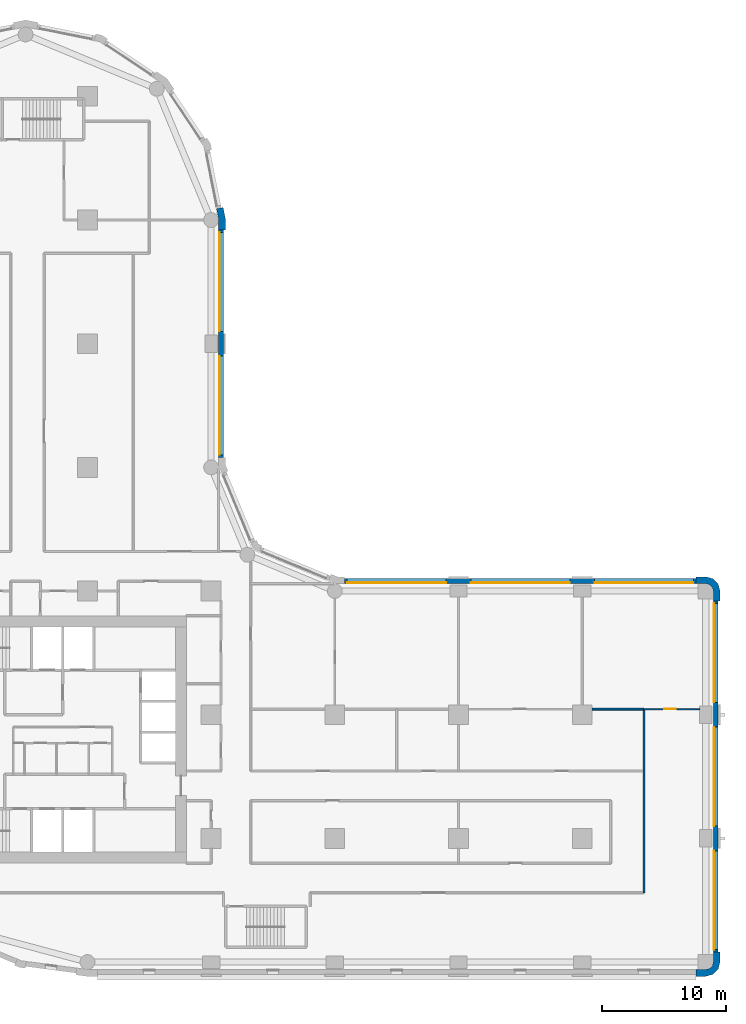
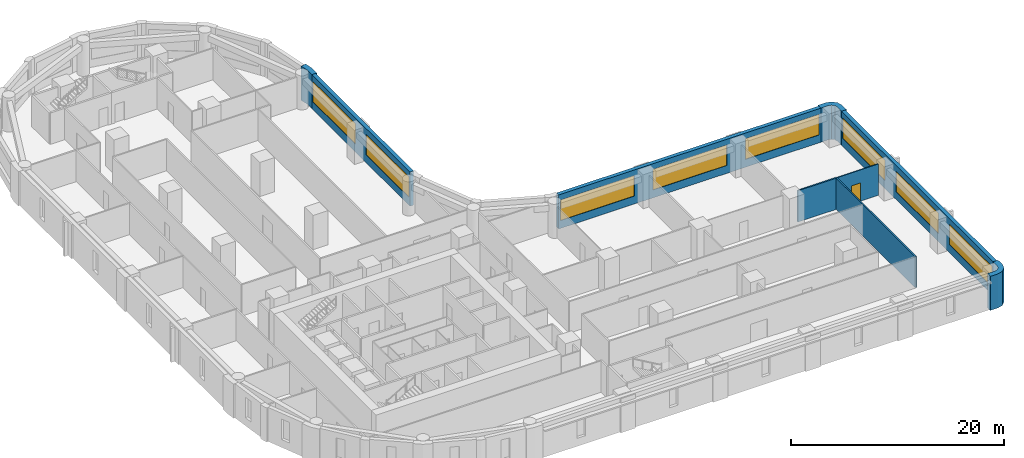
# One storey, part 6 of 10: 9 walls, 8 windows, 1 door, 9 openings.
"""IFC4 building model written with IfcOpenShell, lengths in metres."""

from ifc_helpers import new_model, si_unit, direction, frame, frame_2d, origin, place, context, subcontext, project, spatial, polyline, rectangle, outline, extrude, material, layer, layer_set, type_object, element, fill, save


model = new_model("IFC4")

# Units and contexts
model_context = context("Model", 3, precision=1e-05, world=origin(), true_north=direction((0.0, 1.0)))
body_context = subcontext(model_context, "Body", "Model", "MODEL_VIEW")
ifc_project = project(units=[si_unit("LENGTHUNIT", "METRE"), si_unit("AREAUNIT", "SQUARE_METRE"), si_unit("VOLUMEUNIT", "CUBIC_METRE"), si_unit("PLANEANGLEUNIT", "RADIAN"), si_unit("MASSUNIT", "GRAM", prefix="KILO")], contexts=[model_context])

# Site, building, storey
site_placement = place(None, origin())
site = spatial("IfcSite", under=ifc_project, at=site_placement, CompositionType="ELEMENT")
building_placement = place(site_placement, origin())
building = spatial("IfcBuilding", under=site, at=building_placement, Name="Qaws Garden Tower", CompositionType="ELEMENT")
storey_placement = place(building_placement, frame((0.0, 0.0, 78.300048828125)))
storey = spatial("IfcBuildingStorey", under=building, at=storey_placement, Name="L19", CompositionType="ELEMENT", Elevation=78.300048828125)

# Walls
ifc_material_1 = material(Name="Clay facing brick masonry", Category="masonry")
ifc_layer_1 = layer(ifc_material_1, 0.550048828125)
ifc_layer_set_1 = layer_set([ifc_layer_1], Name="Clay facing brick masonry")
wall_type_1 = type_object("IfcWallType", Name="Brick corner pier 550 x 2400", PredefinedType="SOLIDWALL", material=ifc_layer_set_1)
placement = place(storey_placement, origin())
element("IfcWall", 1, at=placement, inside=storey, type_object=wall_type_1, Name="E-L19-pier-05", PredefinedType="SOLIDWALL", context=body_context, shape_type="SweptSolid", body=[
    extrude(outline(polyline([(69.199951171875, -1.0), (69.199951171875, -1.14990234375), (70.0, -1.14990234375), (70.574951171875, -0.995849609375), (70.995849609375, -0.574951171875), (71.14990234375, 0.0), (71.14990234375, 0.800048828125), (71.0, 0.800048828125), (70.60009765625, 0.800048828125), (70.60009765625, 0.0), (70.51953125, -0.300048828125), (70.300048828125, -0.51953125), (70.0, -0.60009765625), (69.199951171875, -0.60009765625), (69.199951171875, -1.0)])), origin(), (0.0, 0.0, 1.0), 3.89990234375),
])
element("IfcWall", 2, at=placement, inside=storey, type_object=wall_type_1, Name="E-L19-pier-08", PredefinedType="SOLIDWALL", context=body_context, shape_type="SweptSolid", body=[
    extrude(outline(polyline([(71.0, 29.199951171875), (71.14990234375, 29.199951171875), (71.14990234375, 30.0), (70.995849609375, 30.574951171875), (70.574951171875, 30.995849609375), (70.0, 31.14990234375), (69.199951171875, 31.14990234375), (69.199951171875, 31.0), (69.199951171875, 30.60009765625), (70.0, 30.60009765625), (70.300048828125, 30.51953125), (70.51953125, 30.300048828125), (70.60009765625, 30.0), (70.60009765625, 29.199951171875), (71.0, 29.199951171875)])), origin(), (0.0, 0.0, 1.0), 3.89990234375),
])

# Wall, openings, windows
ifc_material_2 = material(Name="Clay facing brick masonry", Category="masonry")
ifc_layer_2 = layer(ifc_material_2, 0.39990234375)
ifc_layer_set_2 = layer_set([ifc_layer_2], Name="Clay facing brick masonry")
wall_type_2 = type_object("IfcWallType", Name="Brick infill wall 400", PredefinedType="SOLIDWALL", material=ifc_layer_set_2)
wall_3_placement = place(storey_placement, frame((70.800048828125, 0.800048828125, 0.0), z_axis=(0.0, 0.0, 1.0), x_axis=(0.0, 1.0, 0.0)))
wall_3 = element("IfcWall", 3, at=wall_3_placement, inside=storey, type_object=wall_type_2, Name="E-L19-infill-05", PredefinedType="SOLIDWALL", context=body_context, shape_type="SweptSolid", body=[
    extrude(rectangle(XDim=28.39990234375, YDim=0.39990234375, at=frame_2d((14.199951171875, 0.0))), origin(), (0.0, 0.0, 1.0), 3.89990234375),
])
opening_1_placement = place(wall_3_placement, frame((0.199951171875, 0.0, 0.89990234375)))
opening_1 = element("IfcOpeningElement", 4, at=opening_1_placement, cuts=wall_3, Name="Opening W01", PredefinedType="OPENING", context=body_context, shape_type="SweptSolid", body=[
    extrude(rectangle(XDim=8.0, YDim=2.35009765625, at=frame_2d((4.0, 1.175048828125))), frame((0.0, 0.2099609375, 0.0), z_axis=(0.0, -1.0, 0.0), x_axis=(1.0, 0.0, 0.0)), (0.0, 0.0, 1.0), 0.419921875),
])
opening_2_placement = place(wall_3_placement, frame((10.199951171875, 0.0, 0.89990234375)))
opening_2 = element("IfcOpeningElement", 5, at=opening_2_placement, cuts=wall_3, Name="Opening W01", PredefinedType="OPENING", context=body_context, shape_type="SweptSolid", body=[
    extrude(rectangle(XDim=8.0, YDim=2.35009765625, at=frame_2d((4.0, 1.175048828125))), frame((0.0, 0.2099609375, 0.0), z_axis=(0.0, -1.0, 0.0), x_axis=(1.0, 0.0, 0.0)), (0.0, 0.0, 1.0), 0.419921875),
])
opening_3_placement = place(wall_3_placement, frame((20.199951171875, 0.0, 0.89990234375)))
opening_3 = element("IfcOpeningElement", 6, at=opening_3_placement, cuts=wall_3, Name="Opening W01", PredefinedType="OPENING", context=body_context, shape_type="SweptSolid", body=[
    extrude(rectangle(XDim=8.0, YDim=2.35009765625, at=frame_2d((4.0, 1.175048828125))), frame((0.0, 0.2099609375, 0.0), z_axis=(0.0, -1.0, 0.0), x_axis=(1.0, 0.0, 0.0)), (0.0, 0.0, 1.0), 0.419921875),
])
ifc_material_3 = material(Name="Aluminium framed window, clear glazing", Category="aluminium")
window_type = type_object("IfcWindowType", Name="Ribbon window 8000 x 2350", PartitioningType="DOUBLE_PANEL_VERTICAL", PredefinedType="WINDOW", material=ifc_material_3)
window_1_placement = place(opening_1_placement, origin())
window_1 = element("IfcWindow", 7, at=window_1_placement, inside=storey, type_object=window_type, Name="E-L19-window-05-0", OverallHeight=2.35009765625, OverallWidth=8.0, PartitioningType="SINGLE_PANEL", PredefinedType="WINDOW", context=body_context, shape_type="SweptSolid", body=[
    extrude(rectangle(XDim=8.0, YDim=2.35009765625, at=frame_2d((4.0, 1.175048828125))), frame((0.0, 0.159912109375, 0.0), z_axis=(0.0, -1.0, 0.0), x_axis=(1.0, 0.0, 0.0)), (0.0, 0.0, 1.0), 0.06005859375),
])
fill(opening_1, window_1)
window_2_placement = place(opening_2_placement, origin())
window_2 = element("IfcWindow", 8, at=window_2_placement, inside=storey, type_object=window_type, Name="E-L19-window-06-0", OverallHeight=2.35009765625, OverallWidth=8.0, PartitioningType="SINGLE_PANEL", PredefinedType="WINDOW", context=body_context, shape_type="SweptSolid", body=[
    extrude(rectangle(XDim=8.0, YDim=2.35009765625, at=frame_2d((4.0, 1.175048828125))), frame((0.0, 0.159912109375, 0.0), z_axis=(0.0, -1.0, 0.0), x_axis=(1.0, 0.0, 0.0)), (0.0, 0.0, 1.0), 0.06005859375),
])
fill(opening_2, window_2)
window_3_placement = place(opening_3_placement, origin())
window_3 = element("IfcWindow", 9, at=window_3_placement, inside=storey, type_object=window_type, Name="E-L19-window-07-0", OverallHeight=2.35009765625, OverallWidth=8.0, PartitioningType="SINGLE_PANEL", PredefinedType="WINDOW", context=body_context, shape_type="SweptSolid", body=[
    extrude(rectangle(XDim=8.0, YDim=2.35009765625, at=frame_2d((4.0, 1.175048828125))), frame((0.0, 0.159912109375, 0.0), z_axis=(0.0, -1.0, 0.0), x_axis=(1.0, 0.0, 0.0)), (0.0, 0.0, 1.0), 0.06005859375),
])
fill(opening_3, window_3)

wall_4_placement = place(storey_placement, frame((69.199951171875, 30.800048828125, 0.0), z_axis=(0.0, 0.0, 1.0), x_axis=(-1.0, 0.0, 0.0)))
wall_4 = element("IfcWall", 10, at=wall_4_placement, inside=storey, type_object=wall_type_2, Name="E-L19-infill-08", PredefinedType="SOLIDWALL", context=body_context, shape_type="SweptSolid", body=[
    extrude(rectangle(XDim=28.39990234375, YDim=0.39990234375, at=frame_2d((14.199951171875, 0.0))), origin(), (0.0, 0.0, 1.0), 3.89990234375),
])
opening_4_placement = place(wall_4_placement, frame((0.199951171875, 0.0, 0.89990234375)))
opening_4 = element("IfcOpeningElement", 11, at=opening_4_placement, cuts=wall_4, Name="Opening W01", PredefinedType="OPENING", context=body_context, shape_type="SweptSolid", body=[
    extrude(rectangle(XDim=8.0, YDim=2.35009765625, at=frame_2d((4.0, 1.175048828125))), frame((0.0, 0.2099609375, 0.0), z_axis=(0.0, -1.0, 0.0), x_axis=(1.0, 0.0, 0.0)), (0.0, 0.0, 1.0), 0.419921875),
])
opening_5_placement = place(wall_4_placement, frame((10.199951171875, 0.0, 0.89990234375)))
opening_5 = element("IfcOpeningElement", 12, at=opening_5_placement, cuts=wall_4, Name="Opening W01", PredefinedType="OPENING", context=body_context, shape_type="SweptSolid", body=[
    extrude(rectangle(XDim=8.0, YDim=2.35009765625, at=frame_2d((4.0, 1.175048828125))), frame((0.0, 0.2099609375, 0.0), z_axis=(0.0, -1.0, 0.0), x_axis=(1.0, 0.0, 0.0)), (0.0, 0.0, 1.0), 0.419921875),
])
opening_6_placement = place(wall_4_placement, frame((20.199951171875, 0.0, 0.89990234375)))
opening_6 = element("IfcOpeningElement", 13, at=opening_6_placement, cuts=wall_4, Name="Opening W01", PredefinedType="OPENING", context=body_context, shape_type="SweptSolid", body=[
    extrude(rectangle(XDim=8.0, YDim=2.35009765625, at=frame_2d((4.0, 1.175048828125))), frame((0.0, 0.2099609375, 0.0), z_axis=(0.0, -1.0, 0.0), x_axis=(1.0, 0.0, 0.0)), (0.0, 0.0, 1.0), 0.419921875),
])
window_4_placement = place(opening_4_placement, origin())
window_4 = element("IfcWindow", 14, at=window_4_placement, inside=storey, type_object=window_type, Name="E-L19-window-08-0", OverallHeight=2.35009765625, OverallWidth=8.0, PartitioningType="SINGLE_PANEL", PredefinedType="WINDOW", context=body_context, shape_type="SweptSolid", body=[
    extrude(rectangle(XDim=8.0, YDim=2.35009765625, at=frame_2d((4.0, 1.175048828125))), frame((0.0, 0.159912109375, 0.0), z_axis=(0.0, -1.0, 0.0), x_axis=(1.0, 0.0, 0.0)), (0.0, 0.0, 1.0), 0.06005859375),
])
fill(opening_4, window_4)
window_5_placement = place(opening_5_placement, origin())
window_5 = element("IfcWindow", 15, at=window_5_placement, inside=storey, type_object=window_type, Name="E-L19-window-09-0", OverallHeight=2.35009765625, OverallWidth=8.0, PartitioningType="SINGLE_PANEL", PredefinedType="WINDOW", context=body_context, shape_type="SweptSolid", body=[
    extrude(rectangle(XDim=8.0, YDim=2.35009765625, at=frame_2d((4.0, 1.175048828125))), frame((0.0, 0.159912109375, 0.0), z_axis=(0.0, -1.0, 0.0), x_axis=(1.0, 0.0, 0.0)), (0.0, 0.0, 1.0), 0.06005859375),
])
fill(opening_5, window_5)
window_6_placement = place(opening_6_placement, origin())
window_6 = element("IfcWindow", 16, at=window_6_placement, inside=storey, type_object=window_type, Name="E-L19-window-10-0", OverallHeight=2.35009765625, OverallWidth=8.0, PartitioningType="SINGLE_PANEL", PredefinedType="WINDOW", context=body_context, shape_type="SweptSolid", body=[
    extrude(rectangle(XDim=8.0, YDim=2.35009765625, at=frame_2d((4.0, 1.175048828125))), frame((0.0, 0.159912109375, 0.0), z_axis=(0.0, -1.0, 0.0), x_axis=(1.0, 0.0, 0.0)), (0.0, 0.0, 1.0), 0.06005859375),
])
fill(opening_6, window_6)

wall_5_placement = place(storey_placement, frame((30.800048828125, 40.800048828125, 0.0), z_axis=(0.0, 0.0, 1.0), x_axis=(0.0, 1.0, 0.0)))
wall_5 = element("IfcWall", 17, at=wall_5_placement, inside=storey, type_object=wall_type_2, Name="E-L19-infill-13", PredefinedType="SOLIDWALL", context=body_context, shape_type="SweptSolid", body=[
    extrude(rectangle(XDim=18.39990234375, YDim=0.39990234375, at=frame_2d((9.199951171875, 0.0))), origin(), (0.0, 0.0, 1.0), 3.89990234375),
])
opening_7_placement = place(wall_5_placement, frame((0.199951171875, 0.0, 0.89990234375)))
opening_7 = element("IfcOpeningElement", 18, at=opening_7_placement, cuts=wall_5, Name="Opening W01", PredefinedType="OPENING", context=body_context, shape_type="SweptSolid", body=[
    extrude(rectangle(XDim=8.0, YDim=2.35009765625, at=frame_2d((4.0, 1.175048828125))), frame((0.0, 0.2099609375, 0.0), z_axis=(0.0, -1.0, 0.0), x_axis=(1.0, 0.0, 0.0)), (0.0, 0.0, 1.0), 0.419921875),
])
opening_8_placement = place(wall_5_placement, frame((10.199951171875, 0.0, 0.89990234375)))
opening_8 = element("IfcOpeningElement", 19, at=opening_8_placement, cuts=wall_5, Name="Opening W01", PredefinedType="OPENING", context=body_context, shape_type="SweptSolid", body=[
    extrude(rectangle(XDim=8.0, YDim=2.35009765625, at=frame_2d((4.0, 1.175048828125))), frame((0.0, 0.2099609375, 0.0), z_axis=(0.0, -1.0, 0.0), x_axis=(1.0, 0.0, 0.0)), (0.0, 0.0, 1.0), 0.419921875),
])
window_7_placement = place(opening_7_placement, origin())
window_7 = element("IfcWindow", 20, at=window_7_placement, inside=storey, type_object=window_type, Name="E-L19-window-13-0", OverallHeight=2.35009765625, OverallWidth=8.0, PartitioningType="SINGLE_PANEL", PredefinedType="WINDOW", context=body_context, shape_type="SweptSolid", body=[
    extrude(rectangle(XDim=8.0, YDim=2.35009765625, at=frame_2d((4.0, 1.175048828125))), frame((0.0, 0.159912109375, 0.0), z_axis=(0.0, -1.0, 0.0), x_axis=(1.0, 0.0, 0.0)), (0.0, 0.0, 1.0), 0.06005859375),
])
fill(opening_7, window_7)
window_8_placement = place(opening_8_placement, origin())
window_8 = element("IfcWindow", 21, at=window_8_placement, inside=storey, type_object=window_type, Name="E-L19-window-14-0", OverallHeight=2.35009765625, OverallWidth=8.0, PartitioningType="SINGLE_PANEL", PredefinedType="WINDOW", context=body_context, shape_type="SweptSolid", body=[
    extrude(rectangle(XDim=8.0, YDim=2.35009765625, at=frame_2d((4.0, 1.175048828125))), frame((0.0, 0.159912109375, 0.0), z_axis=(0.0, -1.0, 0.0), x_axis=(1.0, 0.0, 0.0)), (0.0, 0.0, 1.0), 0.06005859375),
])
fill(opening_8, window_8)

# Wall
ifc_material_4 = material(Name="Clay facing brick masonry", Category="masonry")
ifc_layer_3 = layer(ifc_material_4, 0.550048828125)
ifc_layer_set_3 = layer_set([ifc_layer_3], Name="Clay facing brick masonry")
wall_type_3 = type_object("IfcWallType", Name="Brick pier 550 x 1600", PredefinedType="SOLIDWALL", material=ifc_layer_set_3)
element("IfcWall", 22, at=placement, inside=storey, type_object=wall_type_3, Name="E-L19-pier-15", PredefinedType="SOLIDWALL", context=body_context, shape_type="SweptSolid", body=[
    extrude(outline(polyline([(31.0, 59.199951171875), (31.14990234375, 59.199951171875), (31.14990234375, 60.11328125), (30.971923828125, 61.009033203125), (30.82470703125, 60.979736328125), (30.432373046875, 60.901611328125), (30.60009765625, 60.05908203125), (30.60009765625, 59.199951171875), (31.0, 59.199951171875)])), origin(), (0.0, 0.0, 1.0), 3.89990234375),
])

# Wall, opening, door
ifc_material_5 = material(Name="Gypsum board partition")
ifc_layer_4 = layer(ifc_material_5, 0.10009765625)
ifc_layer_set_4 = layer_set([ifc_layer_4], Name="Gypsum board partition")
wall_type_4 = type_object("IfcWallType", Name="PARTITION 100", PredefinedType="PARTITIONING", material=ifc_layer_set_4)
wall_7_placement = place(storey_placement, frame((65.0, 20.449951171875, 0.0), z_axis=(0.0, 0.0, 1.0), x_axis=(1.0, 0.0, 0.0)))
wall_7 = element("IfcWall", 23, at=wall_7_placement, inside=storey, type_object=wall_type_4, Name="O-L19-wall-003", PredefinedType="PARTITIONING", context=body_context, shape_type="SweptSolid", body=[
    extrude(rectangle(XDim=4.5, YDim=0.10009765625, at=frame_2d((2.25, 0.0))), origin(), (0.0, 0.0, 1.0), 3.579833984375),
])
opening_9_placement = place(wall_7_placement, frame((1.625, 0.0, 0.0)))
opening_9 = element("IfcOpeningElement", 24, at=opening_9_placement, cuts=wall_7, Name="Opening A628", PredefinedType="OPENING", context=body_context, shape_type="SweptSolid", body=[
    extrude(rectangle(XDim=0.949951171875, YDim=2.10009765625, at=frame_2d((0.47509765625, 1.050048828125))), frame((0.0, 0.06005859375, 0.0), z_axis=(0.0, -1.0, 0.0), x_axis=(1.0, 0.0, 0.0)), (0.0, 0.0, 1.0), 0.1201171875),
])
ifc_material_6 = material(Name="Timber and glass door leaf", Category="wood")
door_type = type_object("IfcDoorType", Name="GLAZED DOOR 950 X 2100", OperationType="SINGLE_SWING_LEFT", PredefinedType="DOOR", material=ifc_material_6)
door_placement = place(opening_9_placement, origin())
door = element("IfcDoor", 25, at=door_placement, inside=storey, type_object=door_type, Name="O-L19-door-028", OperationType="SINGLE_SWING_LEFT", OverallHeight=2.10009765625, OverallWidth=0.949951171875, PredefinedType="DOOR", context=body_context, shape_type="SweptSolid", body=[
    extrude(rectangle(XDim=0.949951171875, YDim=2.10009765625, at=frame_2d((0.47509765625, 1.050048828125))), frame((0.0, 0.02490234375, 0.0), z_axis=(0.0, -1.0, 0.0), x_axis=(1.0, 0.0, 0.0)), (0.0, 0.0, 1.0), 0.050048828125),
])
fill(opening_9, door)

# Walls
ifc_material_7 = material(Name="Gypsum board partition")
ifc_layer_5 = layer(ifc_material_7, 0.14990234375)
ifc_layer_set_5 = layer_set([ifc_layer_5], Name="Gypsum board partition")
wall_type_5 = type_object("IfcWallType", Name="PARTITION 150 EI 60", PredefinedType="PARTITIONING", material=ifc_layer_set_5)
wall_8_placement = place(storey_placement, frame((65.0, 5.60009765625, 0.0), z_axis=(0.0, 0.0, 1.0), x_axis=(0.0, 1.0, 0.0)))
element("IfcWall", 26, at=wall_8_placement, inside=storey, type_object=wall_type_5, Name="O-L19-wall-032", PredefinedType="PARTITIONING", context=body_context, shape_type="SweptSolid", body=[
    extrude(rectangle(XDim=14.849853515625, YDim=0.14990234375, at=frame_2d((7.4248046875, 0.0))), origin(), (0.0, 0.0, 1.0), 3.579833984375),
])
wall_9_placement = place(storey_placement, frame((60.800048828125, 20.449951171875, 0.0), z_axis=(0.0, 0.0, 1.0), x_axis=(1.0, 0.0, 0.0)))
element("IfcWall", 27, at=wall_9_placement, inside=storey, type_object=wall_type_5, Name="O-L19-wall-045", PredefinedType="PARTITIONING", context=body_context, shape_type="SweptSolid", body=[
    extrude(rectangle(XDim=4.199951171875, YDim=0.14990234375, at=frame_2d((2.10009765625, 0.0))), origin(), (0.0, 0.0, 1.0), 3.579833984375),
])

save(model, "model.ifc")
